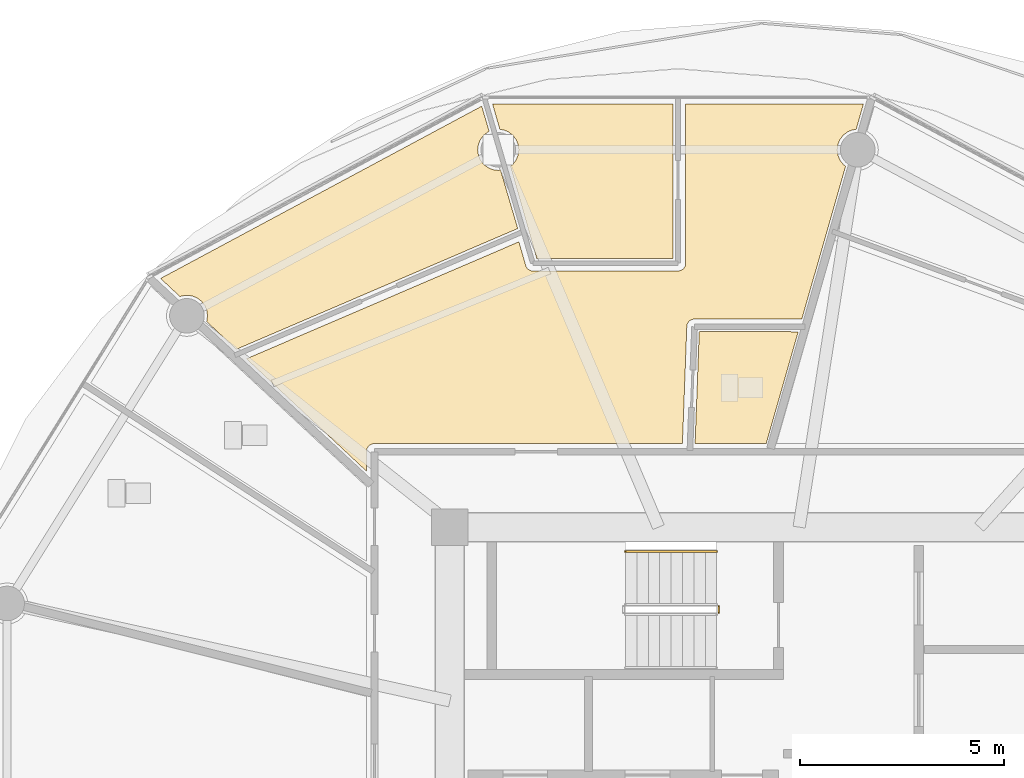
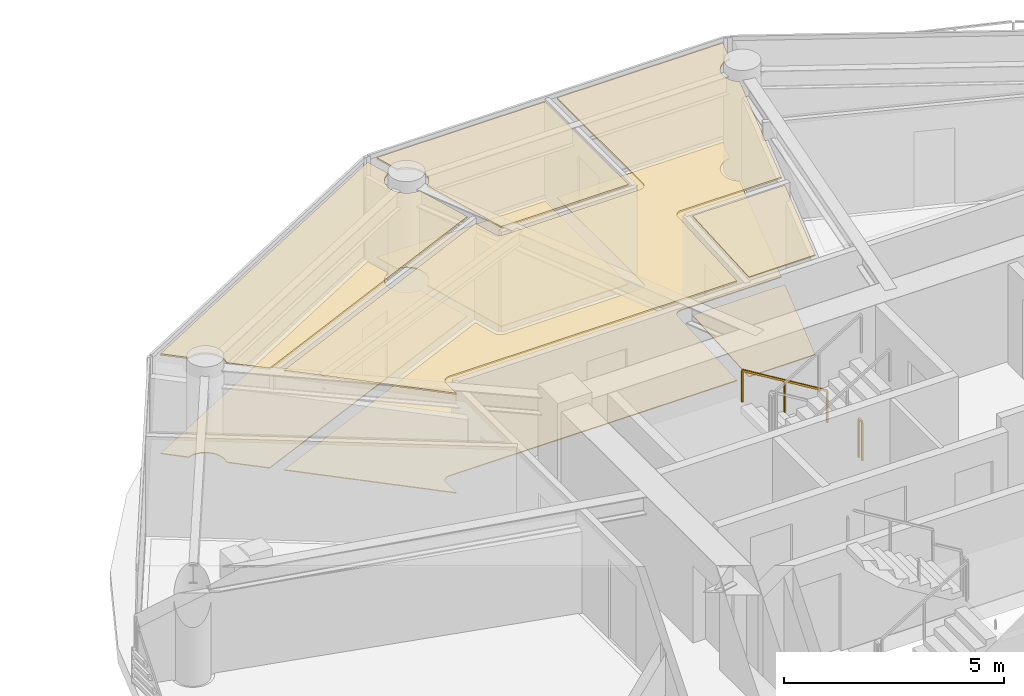
# One storey, part 29 of 32: 8 coverings, 2 railings.
"""IFC4 building model written with IfcOpenShell, lengths in metres."""

from ifc_helpers import new_model, si_unit, direction, frame, origin, origin_2d, place, context, subcontext, project, spatial, polyline, rectangle, outline, extrude, material, layer, layer_set, type_object, element, save


model = new_model("IFC4")

# Units and contexts
model_context = context("Model", 3, precision=1e-05, world=origin(), true_north=direction((0.0, 1.0)))
body_context = subcontext(model_context, "Body", "Model", "MODEL_VIEW")
ifc_project = project(units=[si_unit("LENGTHUNIT", "METRE"), si_unit("AREAUNIT", "SQUARE_METRE"), si_unit("VOLUMEUNIT", "CUBIC_METRE"), si_unit("PLANEANGLEUNIT", "RADIAN"), si_unit("MASSUNIT", "GRAM", prefix="KILO")], contexts=[model_context])

# Site, building, storey
site_placement = place(None, origin())
site = spatial("IfcSite", under=ifc_project, at=site_placement, CompositionType="ELEMENT")
building_placement = place(site_placement, origin())
building = spatial("IfcBuilding", under=site, at=building_placement, Name="Norrkilde Senior Care Towers", CompositionType="ELEMENT")
storey_placement = place(building_placement, frame((0.0, 0.0, 77.949951171875)))
storey = spatial("IfcBuildingStorey", under=building, at=storey_placement, Name="L23", CompositionType="ELEMENT", Elevation=77.949951171875)

# Coverings
ifc_material_1 = material(Name="Nordic Ash Timber", Category="wood")
ifc_layer_1 = layer(ifc_material_1, 0.044921875)
ifc_layer_set_1 = layer_set([ifc_layer_1], Name="Nordic Ash Timber")
covering_type_1 = type_object("IfcCoveringType", Name="Acoustic Ash Timber Slatted Ceiling 45", PredefinedType="CEILING", material=ifc_layer_set_1)
covering_1_placement = place(storey_placement, frame((0.0, 0.0, 2.7451171875)))
element("IfcCovering", 1, at=covering_1_placement, inside=storey, type_object=covering_type_1, Name="L23 Suspended Ceiling 0237", PredefinedType="CEILING", context=body_context, shape_type="SweptSolid", body=[
    extrude(outline(polyline([(18.447509765625, 7.992919921875), (18.436279296875, 7.989501953125), (18.428955078125, 7.98681640625), (18.41796875, 7.982421875), (18.410888671875, 7.97900390625), (18.400634765625, 7.973388671875), (18.393798828125, 7.969482421875), (18.384033203125, 7.962890625), (18.377685546875, 7.958251953125), (18.36865234375, 7.95068359375), (18.36279296875, 7.945556640625), (18.3544921875, 7.937255859375), (18.34912109375, 7.931396484375), (18.341796875, 7.92236328125), (18.337158203125, 7.916015625), (18.33056640625, 7.90625), (18.326416015625, 7.8994140625), (18.321044921875, 7.888916015625), (18.317626953125, 7.8818359375), (18.31298828125, 7.87109375), (18.310546875, 7.86376953125), (18.30712890625, 7.852294921875), (18.30517578125, 7.8447265625), (18.302734375, 7.833251953125), (18.3017578125, 7.825439453125), (18.300537109375, 7.813720703125), (18.300048828125, 7.805908203125), (18.300048828125, 7.800048828125), (18.300048828125, 7.325439453125), (15.354248046875, 10.082763671875), (22.044189453125, 12.954345703125), (22.2099609375, 12.375244140625), (22.2119140625, 12.36962890625), (22.214111328125, 12.363037109375), (22.218505859375, 12.351806640625), (22.221435546875, 12.345458984375), (22.226806640625, 12.3349609375), (22.230224609375, 12.328857421875), (22.23681640625, 12.319091796875), (22.240966796875, 12.313232421875), (22.248291015625, 12.303955078125), (22.2529296875, 12.298828125), (22.261474609375, 12.290283203125), (22.266357421875, 12.28564453125), (22.275634765625, 12.278076171875), (22.28125, 12.273681640625), (22.291015625, 12.26708984375), (22.297119140625, 12.263427734375), (22.3076171875, 12.2578125), (22.313720703125, 12.2548828125), (22.32470703125, 12.250244140625), (22.331298828125, 12.247802734375), (22.3427734375, 12.244384765625), (22.349365234375, 12.24267578125), (22.361083984375, 12.240234375), (22.367919921875, 12.2392578125), (22.3798828125, 12.238037109375), (22.386962890625, 12.23779296875), (22.392822265625, 12.237548828125), (25.9501953125, 12.239990234375), (25.9560546875, 12.240234375), (25.962890625, 12.240478515625), (25.974609375, 12.24169921875), (25.9814453125, 12.24267578125), (25.992919921875, 12.2451171875), (25.99951171875, 12.246826171875), (26.0107421875, 12.250244140625), (26.017333984375, 12.25244140625), (26.028076171875, 12.2568359375), (26.034423828125, 12.260009765625), (26.044677734375, 12.265380859375), (26.050537109375, 12.26904296875), (26.060546875, 12.275634765625), (26.06591796875, 12.279541015625), (26.074951171875, 12.287109375), (26.080078125, 12.291748046875), (26.08837890625, 12.300048828125), (26.093017578125, 12.30517578125), (26.1005859375, 12.314208984375), (26.1044921875, 12.31982421875), (26.111083984375, 12.32958984375), (26.11474609375, 12.33544921875), (26.1201171875, 12.345703125), (26.123291015625, 12.35205078125), (26.127685546875, 12.36279296875), (26.1298828125, 12.369384765625), (26.13330078125, 12.380615234375), (26.135009765625, 12.38720703125), (26.137451171875, 12.39892578125), (26.138427734375, 12.405517578125), (26.139404296875, 12.417236328125), (26.139892578125, 12.424072265625), (26.139892578125, 12.43017578125), (26.139892578125, 16.33935546875), (30.502197265625, 16.33935546875), (30.322998046875, 15.713134765625), (30.232177734375, 15.701171875), (30.1103515625, 15.650634765625), (30.005859375, 15.5703125), (29.925537109375, 15.4658203125), (29.875, 15.343994140625), (29.85791015625, 15.21337890625), (29.875, 15.08251953125), (29.925537109375, 14.9609375), (30.005859375, 14.856201171875), (30.064697265625, 14.81103515625), (28.989990234375, 11.05615234375), (26.356201171875, 11.057861328125), (26.3505859375, 11.0576171875), (26.34375, 11.057373046875), (26.332275390625, 11.05615234375), (26.32568359375, 11.05517578125), (26.314453125, 11.052978515625), (26.307861328125, 11.051513671875), (26.296875, 11.04833984375), (26.29052734375, 11.046142578125), (26.27978515625, 11.041748046875), (26.273681640625, 11.0390625), (26.263427734375, 11.03369140625), (26.2578125, 11.0302734375), (26.248046875, 11.02392578125), (26.24267578125, 11.02001953125), (26.233642578125, 11.012939453125), (26.228515625, 11.008544921875), (26.22021484375, 11.00048828125), (26.2158203125, 10.99560546875), (26.208251953125, 10.987060546875), (26.2041015625, 10.981689453125), (26.197509765625, 10.97216796875), (26.19384765625, 10.966552734375), (26.188232421875, 10.95654296875), (26.18505859375, 10.95068359375), (26.180419921875, 10.940185546875), (26.177978515625, 10.933837890625), (26.17431640625, 10.9228515625), (26.172607421875, 10.91650390625), (26.169921875, 10.9052734375), (26.168701171875, 10.898681640625), (26.167236328125, 10.88720703125), (26.16650390625, 10.880615234375), (26.166259765625, 10.874755859375), (26.058837890625, 8.0), (18.5, 8.0), (18.494140625, 7.999755859375), (18.486328125, 7.99951171875), (18.474609375, 7.998291015625), (18.466796875, 7.9970703125), (18.455322265625, 7.994873046875), (18.447509765625, 7.992919921875)])), origin(), (0.0, 0.0, 1.0), 0.044921875),
])
covering_2_placement = place(storey_placement, frame((0.0, 0.0, 2.7451171875)))
element("IfcCovering", 2, at=covering_2_placement, inside=storey, type_object=covering_type_1, Name="L23 Suspended Ceiling 0239", PredefinedType="CEILING", context=body_context, shape_type="SweptSolid", body=[
    extrude(outline(polyline([(21.835205078125, 14.81103515625), (21.894287109375, 14.856201171875), (21.974365234375, 14.9609375), (22.02490234375, 15.08251953125), (22.042236328125, 15.21337890625), (22.02490234375, 15.343994140625), (21.974365234375, 15.4658203125), (21.894287109375, 15.5703125), (21.78955078125, 15.650634765625), (21.667724609375, 15.701171875), (21.5771484375, 15.713134765625), (21.397705078125, 16.33935546875), (25.830078125, 16.33935546875), (25.830078125, 12.550048828125), (22.483154296875, 12.547607421875), (21.835205078125, 14.81103515625)])), origin(), (0.0, 0.0, 1.0), 0.044921875),
])
covering_3_placement = place(storey_placement, frame((0.0, 0.0, 2.7451171875)))
element("IfcCovering", 3, at=covering_3_placement, inside=storey, type_object=covering_type_1, Name="L23 Suspended Ceiling 0240", PredefinedType="CEILING", context=body_context, shape_type="SweptSolid", body=[
    extrude(outline(polyline([(14.377685546875, 10.9970703125), (14.381591796875, 11.00634765625), (14.39892578125, 11.136962890625), (14.381591796875, 11.267578125), (14.3310546875, 11.389404296875), (14.2509765625, 11.494140625), (14.146240234375, 11.57421875), (14.0244140625, 11.624755859375), (13.893798828125, 11.641845703125), (13.76318359375, 11.624755859375), (13.724365234375, 11.608642578125), (13.2470703125, 12.055419921875), (21.131103515625, 16.28466796875), (21.314453125, 15.6630859375), (21.28466796875, 15.650634765625), (21.179931640625, 15.5703125), (21.099853515625, 15.4658203125), (21.04931640625, 15.343994140625), (21.0322265625, 15.21337890625), (21.04931640625, 15.08251953125), (21.099853515625, 14.9609375), (21.179931640625, 14.856201171875), (21.28466796875, 14.77587890625), (21.406494140625, 14.7255859375), (21.537109375, 14.708251953125), (21.593505859375, 14.7158203125), (22.0166015625, 13.27978515625), (15.107177734375, 10.314208984375), (14.377685546875, 10.9970703125)])), origin(), (0.0, 0.0, 1.0), 0.044921875),
])
ifc_material_2 = material(Name="Gypsum Acoustic Board")
ifc_layer_2 = layer(ifc_material_2, 0.030029296875)
ifc_layer_set_2 = layer_set([ifc_layer_2], Name="Gypsum Acoustic Board")
covering_type_2 = type_object("IfcCoveringType", Name="Medical Cleanable Gypsum Ceiling 30", PredefinedType="CEILING", material=ifc_layer_set_2)
covering_4_placement = place(storey_placement, frame((0.0, 0.0, 2.760009765625)))
element("IfcCovering", 4, at=covering_4_placement, inside=storey, type_object=covering_type_2, Name="L23 Suspended Ceiling 0238", PredefinedType="CEILING", context=body_context, shape_type="SweptSolid", body=[
    extrude(outline(polyline([(28.901123046875, 10.746337890625), (28.115234375, 8.0), (26.369140625, 8.0), (26.4716796875, 10.747802734375), (28.901123046875, 10.746337890625)])), origin(), (0.0, 0.0, 1.0), 0.030029296875),
])
ifc_material_3 = material(Name="Slip-Resistant Porcelain Stone", Category="masonry")
ifc_layer_3 = layer(ifc_material_3, 0.02490234375)
ifc_layer_set_3 = layer_set([ifc_layer_3], Name="Slip-Resistant Porcelain Stone")
covering_type_3 = type_object("IfcCoveringType", Name="Slip-Resistant Porcelain Flooring 25", PredefinedType="FLOORING", material=ifc_layer_set_3)
covering_5_placement = place(storey_placement, origin())
element("IfcCovering", 5, at=covering_5_placement, inside=storey, type_object=covering_type_3, Name="L23 Floor Finish 0237", PredefinedType="FLOORING", context=body_context, shape_type="SweptSolid", body=[
    extrude(outline(polyline([(18.447509765625, 7.992919921875), (18.436279296875, 7.989501953125), (18.428955078125, 7.98681640625), (18.41796875, 7.982421875), (18.410888671875, 7.97900390625), (18.400634765625, 7.973388671875), (18.393798828125, 7.969482421875), (18.384033203125, 7.962890625), (18.377685546875, 7.958251953125), (18.36865234375, 7.95068359375), (18.36279296875, 7.945556640625), (18.3544921875, 7.937255859375), (18.34912109375, 7.931396484375), (18.341796875, 7.92236328125), (18.337158203125, 7.916015625), (18.33056640625, 7.90625), (18.326416015625, 7.8994140625), (18.321044921875, 7.888916015625), (18.317626953125, 7.8818359375), (18.31298828125, 7.87109375), (18.310546875, 7.86376953125), (18.30712890625, 7.852294921875), (18.30517578125, 7.8447265625), (18.302734375, 7.833251953125), (18.3017578125, 7.825439453125), (18.300537109375, 7.813720703125), (18.300048828125, 7.805908203125), (18.300048828125, 7.800048828125), (18.300048828125, 7.325439453125), (15.354248046875, 10.082763671875), (22.044189453125, 12.954345703125), (22.2099609375, 12.375244140625), (22.2119140625, 12.36962890625), (22.214111328125, 12.363037109375), (22.218505859375, 12.351806640625), (22.221435546875, 12.345458984375), (22.226806640625, 12.3349609375), (22.230224609375, 12.328857421875), (22.23681640625, 12.319091796875), (22.240966796875, 12.313232421875), (22.248291015625, 12.303955078125), (22.2529296875, 12.298828125), (22.261474609375, 12.290283203125), (22.266357421875, 12.28564453125), (22.275634765625, 12.278076171875), (22.28125, 12.273681640625), (22.291015625, 12.26708984375), (22.297119140625, 12.263427734375), (22.3076171875, 12.2578125), (22.313720703125, 12.2548828125), (22.32470703125, 12.250244140625), (22.331298828125, 12.247802734375), (22.3427734375, 12.244384765625), (22.349365234375, 12.24267578125), (22.361083984375, 12.240234375), (22.367919921875, 12.2392578125), (22.3798828125, 12.238037109375), (22.386962890625, 12.23779296875), (22.392822265625, 12.237548828125), (25.9501953125, 12.239990234375), (25.9560546875, 12.240234375), (25.962890625, 12.240478515625), (25.974609375, 12.24169921875), (25.9814453125, 12.24267578125), (25.992919921875, 12.2451171875), (25.99951171875, 12.246826171875), (26.0107421875, 12.250244140625), (26.017333984375, 12.25244140625), (26.028076171875, 12.2568359375), (26.034423828125, 12.260009765625), (26.044677734375, 12.265380859375), (26.050537109375, 12.26904296875), (26.060546875, 12.275634765625), (26.06591796875, 12.279541015625), (26.074951171875, 12.287109375), (26.080078125, 12.291748046875), (26.08837890625, 12.300048828125), (26.093017578125, 12.30517578125), (26.1005859375, 12.314208984375), (26.1044921875, 12.31982421875), (26.111083984375, 12.32958984375), (26.11474609375, 12.33544921875), (26.1201171875, 12.345703125), (26.123291015625, 12.35205078125), (26.127685546875, 12.36279296875), (26.1298828125, 12.369384765625), (26.13330078125, 12.380615234375), (26.135009765625, 12.38720703125), (26.137451171875, 12.39892578125), (26.138427734375, 12.405517578125), (26.139404296875, 12.417236328125), (26.139892578125, 12.424072265625), (26.139892578125, 12.43017578125), (26.139892578125, 16.33935546875), (30.502197265625, 16.33935546875), (30.322998046875, 15.713134765625), (30.232177734375, 15.701171875), (30.1103515625, 15.650634765625), (30.005859375, 15.5703125), (29.925537109375, 15.4658203125), (29.875, 15.343994140625), (29.85791015625, 15.21337890625), (29.875, 15.08251953125), (29.925537109375, 14.9609375), (30.005859375, 14.856201171875), (30.064697265625, 14.81103515625), (28.989990234375, 11.05615234375), (26.356201171875, 11.057861328125), (26.3505859375, 11.0576171875), (26.34375, 11.057373046875), (26.332275390625, 11.05615234375), (26.32568359375, 11.05517578125), (26.314453125, 11.052978515625), (26.307861328125, 11.051513671875), (26.296875, 11.04833984375), (26.29052734375, 11.046142578125), (26.27978515625, 11.041748046875), (26.273681640625, 11.0390625), (26.263427734375, 11.03369140625), (26.2578125, 11.0302734375), (26.248046875, 11.02392578125), (26.24267578125, 11.02001953125), (26.233642578125, 11.012939453125), (26.228515625, 11.008544921875), (26.22021484375, 11.00048828125), (26.2158203125, 10.99560546875), (26.208251953125, 10.987060546875), (26.2041015625, 10.981689453125), (26.197509765625, 10.97216796875), (26.19384765625, 10.966552734375), (26.188232421875, 10.95654296875), (26.18505859375, 10.95068359375), (26.180419921875, 10.940185546875), (26.177978515625, 10.933837890625), (26.17431640625, 10.9228515625), (26.172607421875, 10.91650390625), (26.169921875, 10.9052734375), (26.168701171875, 10.898681640625), (26.167236328125, 10.88720703125), (26.16650390625, 10.880615234375), (26.166259765625, 10.874755859375), (26.058837890625, 8.0), (18.5, 8.0), (18.494140625, 7.999755859375), (18.486328125, 7.99951171875), (18.474609375, 7.998291015625), (18.466796875, 7.9970703125), (18.455322265625, 7.994873046875), (18.447509765625, 7.992919921875)])), origin(), (0.0, 0.0, 1.0), 0.025146484375),
])
covering_6_placement = place(storey_placement, origin())
element("IfcCovering", 6, at=covering_6_placement, inside=storey, type_object=covering_type_3, Name="L23 Floor Finish 0238", PredefinedType="FLOORING", context=body_context, shape_type="SweptSolid", body=[
    extrude(outline(polyline([(28.901123046875, 10.746337890625), (28.115234375, 8.0), (26.369140625, 8.0), (26.4716796875, 10.747802734375), (28.901123046875, 10.746337890625)])), origin(), (0.0, 0.0, 1.0), 0.025146484375),
])
covering_7_placement = place(storey_placement, origin())
element("IfcCovering", 7, at=covering_7_placement, inside=storey, type_object=covering_type_3, Name="L23 Floor Finish 0239", PredefinedType="FLOORING", context=body_context, shape_type="SweptSolid", body=[
    extrude(outline(polyline([(21.835205078125, 14.81103515625), (21.894287109375, 14.856201171875), (21.974365234375, 14.9609375), (22.02490234375, 15.08251953125), (22.042236328125, 15.21337890625), (22.02490234375, 15.343994140625), (21.974365234375, 15.4658203125), (21.894287109375, 15.5703125), (21.78955078125, 15.650634765625), (21.667724609375, 15.701171875), (21.5771484375, 15.713134765625), (21.397705078125, 16.33935546875), (25.830078125, 16.33935546875), (25.830078125, 12.550048828125), (22.483154296875, 12.547607421875), (21.835205078125, 14.81103515625)])), origin(), (0.0, 0.0, 1.0), 0.025146484375),
])
covering_8_placement = place(storey_placement, origin())
element("IfcCovering", 8, at=covering_8_placement, inside=storey, type_object=covering_type_3, Name="L23 Floor Finish 0240", PredefinedType="FLOORING", context=body_context, shape_type="SweptSolid", body=[
    extrude(outline(polyline([(14.377685546875, 10.9970703125), (14.381591796875, 11.00634765625), (14.39892578125, 11.136962890625), (14.381591796875, 11.267578125), (14.3310546875, 11.389404296875), (14.2509765625, 11.494140625), (14.146240234375, 11.57421875), (14.0244140625, 11.624755859375), (13.893798828125, 11.641845703125), (13.76318359375, 11.624755859375), (13.724365234375, 11.608642578125), (13.2470703125, 12.055419921875), (21.131103515625, 16.28466796875), (21.314453125, 15.6630859375), (21.28466796875, 15.650634765625), (21.179931640625, 15.5703125), (21.099853515625, 15.4658203125), (21.04931640625, 15.343994140625), (21.0322265625, 15.21337890625), (21.04931640625, 15.08251953125), (21.099853515625, 14.9609375), (21.179931640625, 14.856201171875), (21.28466796875, 14.77587890625), (21.406494140625, 14.7255859375), (21.537109375, 14.708251953125), (21.593505859375, 14.7158203125), (22.0166015625, 13.27978515625), (15.107177734375, 10.314208984375), (14.377685546875, 10.9970703125)])), origin(), (0.0, 0.0, 1.0), 0.025146484375),
])

# Railings
ifc_material_4 = material(Name="Stainless Steel", Category="steel")
railing_type_1 = type_object("IfcRailingType", Name="Stair and Terrace Guardrail 1100", PredefinedType="GUARDRAIL", material=ifc_material_4)
railing_1_placement = place(storey_placement, frame((26.949951171875, 4.0, 0.0)))
element("IfcRailing", 9, at=railing_1_placement, inside=storey, type_object=railing_type_1, Name="L23 ST-E1 stair guard 4", PredefinedType="GUARDRAIL", context=body_context, shape_type="SweptSolid", body=[
    extrude(rectangle(XDim=0.048095703125, YDim=0.048095703125, at=origin_2d()), frame((0.0, 0.0, 1.076171875), z_axis=(0.0, -1.0, 0.0), x_axis=(1.0, 0.0, 0.0)), (0.0, 0.0, 1.0), 0.14990234375),
    extrude(rectangle(XDim=0.0419921875, YDim=0.0419921875, at=origin_2d()), origin(), (0.0, 0.0, 1.0), 1.050048828125),
    extrude(rectangle(XDim=0.0419921875, YDim=0.0419921875, at=origin_2d()), frame((0.0, -0.14990234375, 0.0)), (0.0, 0.0, 1.0), 1.050048828125),
])
railing_type_2 = type_object("IfcRailingType", Name="Wall and Stair Handrail 900", PredefinedType="HANDRAIL", material=ifc_material_1)
railing_2_placement = place(storey_placement, frame((26.89990234375, 5.35009765625, 0.16943359375)))
element("IfcRailing", 10, at=railing_2_placement, inside=storey, type_object=railing_type_2, Name="L23 ST-E1 stair handrail 1", PredefinedType="HANDRAIL", context=body_context, shape_type="SweptSolid", body=[
    extrude(rectangle(XDim=0.048095703125, YDim=0.048095703125, at=origin_2d()), frame((0.0, 0.0, 0.8759765625), z_axis=(-0.855512035549, 0.0, 0.517782924622), x_axis=(0.0, -1.0, 0.0)), (0.0, 0.0, 1.0), 2.618408203125),
    extrude(rectangle(XDim=0.0419921875, YDim=0.0419921875, at=origin_2d()), origin(), (0.0, 0.0, 1.0), 0.849853515625),
    extrude(rectangle(XDim=0.0419921875, YDim=0.0419921875, at=origin_2d()), frame((-1.1201171875, 0.0, 0.677734375)), (0.0, 0.0, 1.0), 0.849853515625),
    extrude(rectangle(XDim=0.0419921875, YDim=0.0419921875, at=origin_2d()), frame((-2.239990234375, 0.0, 1.355712890625)), (0.0, 0.0, 1.0), 0.849853515625),
])

save(model, "model.ifc")
